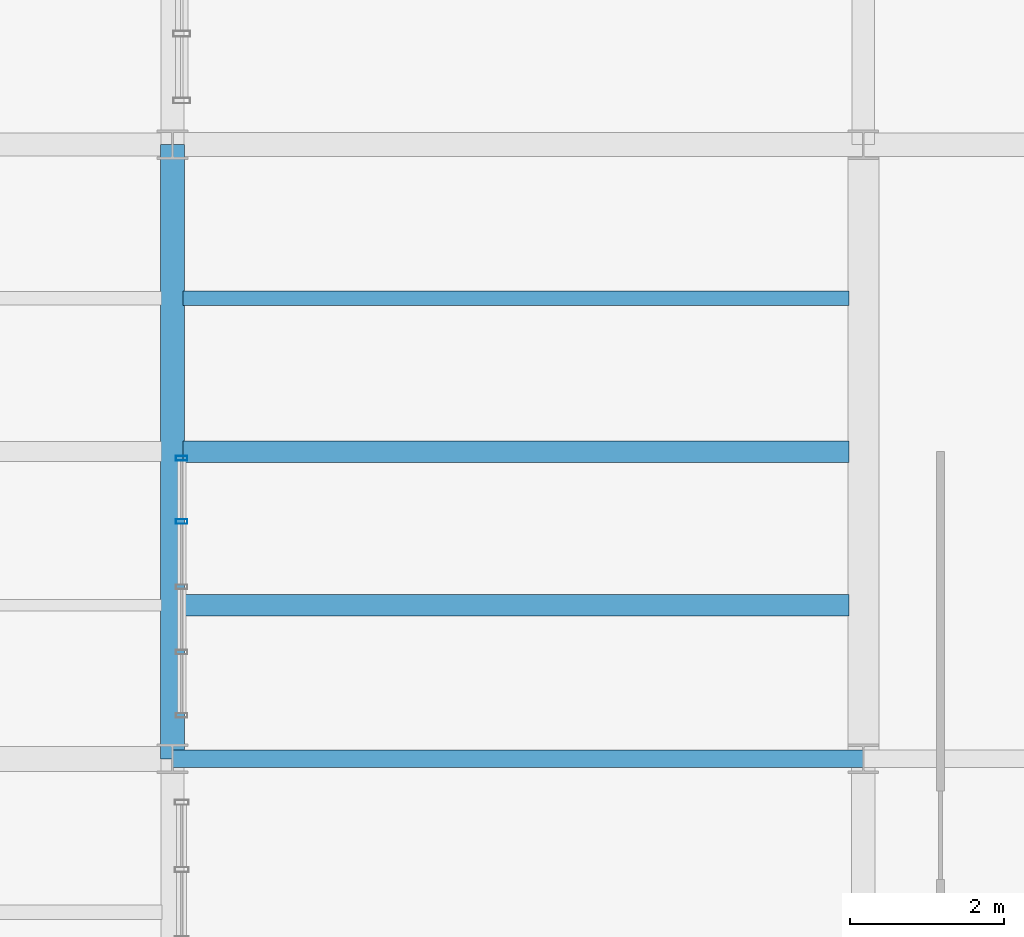
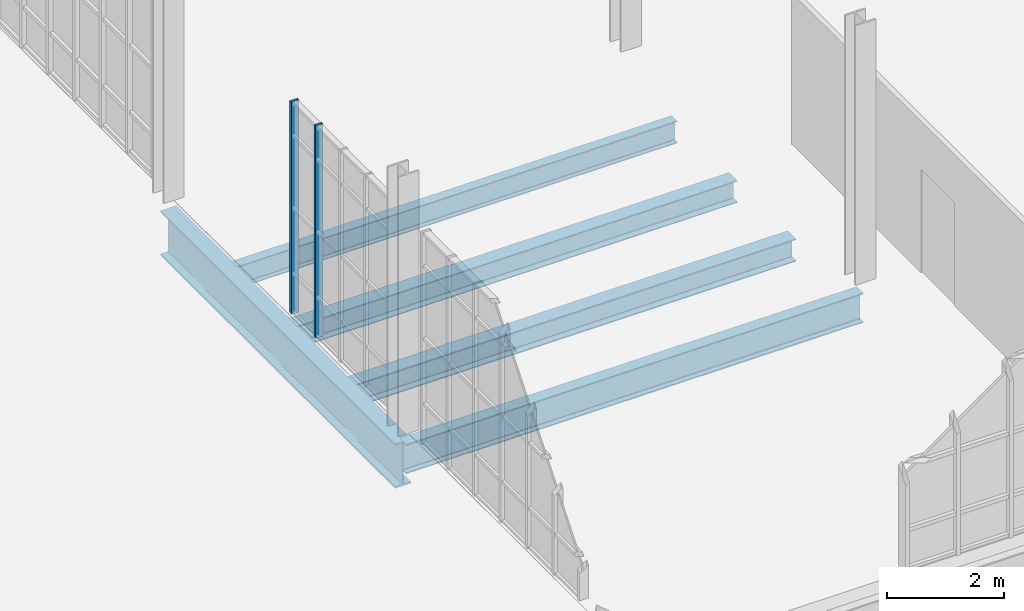
# One storey, part 95 of 189: 5 beams, 2 members, 1 element without a shape of its own.
"""IFC4 building model written with IfcOpenShell, lengths in metres."""

import ifcopenshell
import ifcopenshell.guid

model = None  # the IFC model being written
_history = None  # IfcOwnerHistory: only IFC2X3 demands one
_inside = {}  # id of a spatial element -> (the spatial element, [elements in it])
_under = {}  # id of a project, library or spatial element -> (it, [spatial elements below it])
_declared = {}  # id of a project -> (the project, [libraries it declares])
_typed = {}  # id of a type object -> (the type object, [elements of that type])
_made_of = {}  # id of a material, layer set ... -> (it, [elements and type objects made of it])


def new_model(schema):
    """Start an empty IFC model of exactly this schema.

    Asked for "IFC4X3", IfcOpenShell would pick the latest addendum, in which some entities
    have other attributes; the version numbers below select the first issue.
    IFC2X3 requires an IfcOwnerHistory on every rooted entity: one is made here for all.
    """
    global model, _history
    if schema == "IFC4X3":
        model = ifcopenshell.file(schema_version=(4, 3, 0, 0))
    else:
        model = ifcopenshell.file(schema=schema)
    _inside.clear()
    _under.clear()
    _declared.clear()
    _typed.clear()
    _made_of.clear()
    _history = None
    if model.schema == "IFC2X3":
        org = make("IfcOrganization", Name="unknown")
        user = make(
            "IfcPersonAndOrganization",
            ThePerson=make("IfcPerson", FamilyName="unknown"),
            TheOrganization=org,
        )
        app = make(
            "IfcApplication",
            ApplicationDeveloper=org,
            Version="unknown",
            ApplicationFullName="unknown",
            ApplicationIdentifier="unknown",
        )
        _history = make(
            "IfcOwnerHistory",
            OwningUser=user,
            OwningApplication=app,
            ChangeAction="ADDED",
            CreationDate=0,
        )
    return model


def make(cls, **values):
    """One entity of the class cls with the attributes given. An attribute that is None is left unset."""
    return model.create_entity(
        cls, **{name: value for name, value in values.items() if value is not None}
    )


def rooted(cls, **values):
    """An entity with a GlobalId (a new one), such as an element, a storey or a relation."""
    return make(cls, GlobalId=ifcopenshell.guid.new(), OwnerHistory=_history, **values)


def si_unit(unit_type, name, prefix=None):
    """IfcSIUnit, for example si_unit("LENGTHUNIT", "METRE", prefix="MILLI")."""
    return make("IfcSIUnit", UnitType=unit_type, Prefix=prefix, Name=name)


def assignment(units):
    """IfcUnitAssignment: the units of a project."""
    return None if units is None else make("IfcUnitAssignment", Units=units)


def point(xyz):
    """IfcCartesianPoint."""
    return None if xyz is None else make("IfcCartesianPoint", Coordinates=xyz)


def direction(xyz):
    """IfcDirection."""
    return None if xyz is None else make("IfcDirection", DirectionRatios=xyz)


def frame(location, z_axis=None, x_axis=None):
    """IfcAxis2Placement3D, a coordinate frame: its origin and axes. An axis left out is left unset."""
    return make(
        "IfcAxis2Placement3D",
        Location=point(location),
        Axis=direction(z_axis),
        RefDirection=direction(x_axis),
    )


def frame_2d(location, x_axis=None):
    """IfcAxis2Placement2D, a coordinate frame in the plane: its origin and x axis."""
    return make(
        "IfcAxis2Placement2D", Location=point(location), RefDirection=direction(x_axis)
    )


def origin():
    """The frame at (0, 0, 0) with its axes left unset."""
    return frame((0.0, 0.0, 0.0))


def origin_2d():
    """The frame at (0, 0) in the plane with its x axis left unset."""
    return frame_2d((0.0, 0.0))


def place(relative_to, where):
    """IfcLocalPlacement: puts the frame where relative to a parent placement (None: the world)."""
    return make(
        "IfcLocalPlacement", PlacementRelTo=relative_to, RelativePlacement=where
    )


def context(
    kind, dimensions, precision=None, world=None, true_north=None, identifier=None
):
    """IfcGeometricRepresentationContext, for example the 3D "Model" context."""
    return make(
        "IfcGeometricRepresentationContext",
        ContextIdentifier=identifier,
        ContextType=kind,
        CoordinateSpaceDimension=dimensions,
        Precision=precision,
        WorldCoordinateSystem=world,
        TrueNorth=true_north,
    )


def subcontext(parent, identifier, kind, view, scale=None):
    """IfcGeometricRepresentationSubContext, for example "Body" below "Model"."""
    return make(
        "IfcGeometricRepresentationSubContext",
        ContextIdentifier=identifier,
        ContextType=kind,
        ParentContext=parent,
        TargetScale=scale,
        TargetView=view,
    )


def project(units=None, contexts=None):
    """IfcProject with its units and contexts."""
    return rooted(
        "IfcProject",
        Name="project",
        RepresentationContexts=contexts,
        UnitsInContext=assignment(units),
    )


def spatial(cls, under=None, at=None, **own):
    """A site, building, storey or space (cls), placed at a placement, below another one or the project."""
    s = rooted(cls, ObjectPlacement=at, **own)
    if under is not None:
        _under.setdefault(under.id(), (under, []))[1].append(s)
    return s


def profile(cls, at=None, kind="AREA", **sizes):
    """A parametric profile (cls). Its sizes go by their IFC names, for example OverallWidth=200.0."""
    return make(cls, ProfileType=kind, Position=at, **sizes)


def hollow_rectangle(**sizes):
    """IfcRectangleHollowProfileDef."""
    return profile("IfcRectangleHollowProfileDef", **sizes)


def i_section(**sizes):
    """IfcIShapeProfileDef."""
    return profile("IfcIShapeProfileDef", **sizes)


def extrude(swept, where, along, depth):
    """IfcExtrudedAreaSolid: the profile swept, set in the frame where, extruded along a direction by depth."""
    return make(
        "IfcExtrudedAreaSolid",
        SweptArea=swept,
        Position=where,
        ExtrudedDirection=direction(along),
        Depth=depth,
    )


def shape(context_of_items, identifier, shape_type, items):
    """IfcShapeRepresentation: the items that make up one representation, for example the "Body"."""
    return make(
        "IfcShapeRepresentation",
        ContextOfItems=context_of_items,
        RepresentationIdentifier=identifier,
        RepresentationType=shape_type,
        Items=items,
    )


def material(Name=None, Category=None):
    """IfcMaterial."""
    return make("IfcMaterial", Name=Name, Category=Category)


def layer(
    of_material, thickness, ventilated=None, Name=None, Category=None, Priority=None
):
    """IfcMaterialLayer: one layer of a wall or slab, of a material (None: an air gap)."""
    return make(
        "IfcMaterialLayer",
        Material=of_material,
        LayerThickness=thickness,
        IsVentilated=ventilated,
        Name=Name,
        Category=Category,
        Priority=Priority,
    )


def layer_set(layers, Name=None):
    """IfcMaterialLayerSet."""
    return make("IfcMaterialLayerSet", MaterialLayers=layers, LayerSetName=Name)


def material_profile(
    of_material, cross_section, Name=None, Category=None, Priority=None
):
    """IfcMaterialProfile: a cross section and its material."""
    return make(
        "IfcMaterialProfile",
        Name=Name,
        Material=of_material,
        Profile=cross_section,
        Priority=Priority,
        Category=Category,
    )


def profile_set(profiles, Name=None, composite=None):
    """IfcMaterialProfileSet."""
    return make(
        "IfcMaterialProfileSet",
        Name=Name,
        MaterialProfiles=profiles,
        CompositeProfile=composite,
    )


def made_of(thing, what):
    """Note that an element or type object is made of a material, layer set ...; save() writes the relation."""
    if what is not None:
        _made_of.setdefault(what.id(), (what, []))[1].append(thing)
    return thing


def type_object(cls, material=None, **own):
    """A type object (cls), such as IfcWallType, which elements share."""
    return made_of(rooted(cls, **own), material)


def element(
    cls,
    number,
    at=None,
    inside=None,
    cuts=None,
    type_object=None,
    material=None,
    context=None,
    identifier="Body",
    shape_type=None,
    held_by="IfcProductDefinitionShape",
    body=None,
    shapes=None,
    **own,
):
    """One element of the class cls, such as IfcWall. Its Tag is "e" and its number.

    at: its placement. inside: the storey or other place that contains it. cuts: it is an
    opening in that element (IfcRelVoidsElement). A single representation is given by context,
    identifier, shape_type and body (its items); several are given by shapes. held_by: the class
    of the entity that holds the representations. save() writes the other relations.
    """
    e = rooted(cls, Tag="e%d" % number, ObjectPlacement=at, **own)
    if body is not None:
        shapes = [shape(context, identifier, shape_type, body)]
    if shapes is not None:
        e.Representation = make(held_by, Representations=shapes)
    if inside is not None:
        _inside.setdefault(inside.id(), (inside, []))[1].append(e)
    if cuts is not None:
        rooted(
            "IfcRelVoidsElement", RelatingBuildingElement=cuts, RelatedOpeningElement=e
        )
    if type_object is not None:
        _typed.setdefault(type_object.id(), (type_object, []))[1].append(e)
    return made_of(e, material)


def aggregate(whole, parts):
    """IfcRelAggregates: a whole, such as a stair, and the parts it consists of."""
    return rooted("IfcRelAggregates", RelatingObject=whole, RelatedObjects=parts)


def save(model, path):
    """Write the relations noted so far, then the file.

    IfcRelAggregates (storeys below a building ...), IfcRelContainedInSpatialStructure (elements
    in a storey), IfcRelDefinesByType, IfcRelAssociatesMaterial and IfcRelDeclares: one each for
    every whole, place, type object, material and project.
    """
    for whole, parts in _under.values():
        aggregate(whole, parts)
    for where, things in _inside.values():
        rooted(
            "IfcRelContainedInSpatialStructure",
            RelatedElements=things,
            RelatingStructure=where,
        )
    for kind, things in _typed.values():
        rooted("IfcRelDefinesByType", RelatedObjects=things, RelatingType=kind)
    for what, things in _made_of.values():
        rooted("IfcRelAssociatesMaterial", RelatedObjects=things, RelatingMaterial=what)
    for by, libraries in _declared.values():
        rooted("IfcRelDeclares", RelatingContext=by, RelatedDefinitions=libraries)
    model.write(path)


model = new_model("IFC4")

# Units and contexts
model_context = context("Model", 3, precision=1e-05, world=origin(), true_north=direction((0.0, 1.0)))
body_context = subcontext(model_context, "Body", "Model", "MODEL_VIEW")
ifc_project = project(units=[si_unit("LENGTHUNIT", "METRE"), si_unit("AREAUNIT", "SQUARE_METRE"), si_unit("VOLUMEUNIT", "CUBIC_METRE"), si_unit("PLANEANGLEUNIT", "RADIAN"), si_unit("MASSUNIT", "GRAM", prefix="KILO"), si_unit("THERMODYNAMICTEMPERATUREUNIT", "KELVIN"), si_unit("POWERUNIT", "WATT")], contexts=[model_context])

# Site, building, storey
site_placement = place(None, origin())
site = spatial("IfcSite", under=ifc_project, at=site_placement, CompositionType="ELEMENT")
building_placement = place(site_placement, origin())
building = spatial("IfcBuilding", under=site, at=building_placement, Name="Zelmaris Science Centre", CompositionType="ELEMENT")
storey_placement = place(building_placement, origin())
storey = spatial("IfcBuildingStorey", under=building, at=storey_placement, Name="L00", CompositionType="ELEMENT", Elevation=0.0)

# Curtain wall, members
ifc_material_1 = material(Name="Anodised architectural aluminium 6063-T6", Category="aluminium")
ifc_layer = layer(ifc_material_1, 0.219970703125, Name="Anodised architectural aluminium 6063-T6")
ifc_layer_set = layer_set([ifc_layer], Name="Anodised architectural aluminium 6063-T6")
curtain_wall_type = type_object("IfcCurtainWallType", Name="Curtain Wall CW-04", PredefinedType="USERDEFINED", material=ifc_layer_set)
curtain_wall_placement = place(storey_placement, origin())
curtain_wall = element("IfcCurtainWall", 1, at=curtain_wall_placement, inside=storey, type_object=curtain_wall_type, Name="L00 Unitised curtain wall 80", ObjectType="GLAZED CURTAIN WALL", PredefinedType="USERDEFINED")
ifc_material_profile_1 = material_profile(ifc_material_1, hollow_rectangle(XDim=0.06005859375, YDim=0.14990234375, WallThickness=0.00341796875, at=origin_2d()), Name="ALU-MUL-60X150")
ifc_profile_set_1 = profile_set([ifc_material_profile_1], Name="Anodised architectural aluminium 6063-T6")
member_type = type_object("IfcMemberType", Name="ALU-MUL-60X150", PredefinedType="MULLION", material=ifc_profile_set_1)
member_1_placement = place(storey_placement, frame((90.1201171875, 75.090087890625, -0.014892578125), z_axis=(0.0, 0.0, 1.0), x_axis=(0.0, 1.0, 0.0)))
member_1 = element("IfcMember", 2, at=member_1_placement, type_object=member_type, Name="CW-04 mullion 4", PredefinedType="MULLION", context=body_context, shape_type="SweptSolid", body=[
    extrude(hollow_rectangle(XDim=0.06005859375, YDim=0.14990234375, WallThickness=0.00341796875, at=origin_2d()), origin(), (0.0, 0.0, 1.0), 4.4169921875),
])
member_2_placement = place(storey_placement, frame((90.1201171875, 75.9140625, -0.014892578125), z_axis=(0.0, 0.0, 1.0), x_axis=(0.0, 1.0, 0.0)))
member_2 = element("IfcMember", 3, at=member_2_placement, type_object=member_type, Name="CW-04 mullion 5", PredefinedType="MULLION", context=body_context, shape_type="SweptSolid", body=[
    extrude(hollow_rectangle(XDim=0.06005859375, YDim=0.14990234375, WallThickness=0.00341796875, at=origin_2d()), origin(), (0.0, 0.0, 1.0), 4.4169921875),
])
aggregate(curtain_wall, [member_1, member_2])

# Beams
ifc_material_2 = material(Name="Steel ASTM A992 Grade 50", Category="steel")
ifc_material_profile_2 = material_profile(ifc_material_2, i_section(OverallWidth=0.22900390625, OverallDepth=0.612060546875, WebThickness=0.011962890625, FlangeThickness=0.01953125, FilletRadius=0.014892578125, at=origin_2d()), Name="W24X84")
ifc_profile_set_2 = profile_set([ifc_material_profile_2], Name="Steel ASTM A992 Grade 50")
beam_type_1 = type_object("IfcBeamType", Name="Beam G-16 W24X84", PredefinedType="BEAM", material=ifc_profile_set_2)
beam_1_placement = place(storey_placement, frame((90.0, 72.0, -0.5859375), z_axis=(1.0, 0.0, 0.0), x_axis=(0.0, 1.0, 0.0)))
element("IfcBeam", 4, at=beam_1_placement, inside=storey, type_object=beam_type_1, Name="L00 East-west girder 164", PredefinedType="BEAM", context=body_context, shape_type="SweptSolid", body=[
    extrude(i_section(OverallWidth=0.22900390625, OverallDepth=0.612060546875, WebThickness=0.011962890625, FlangeThickness=0.01953125, FilletRadius=0.014892578125, at=origin_2d()), origin(), (0.0, 0.0, 1.0), 9.0),
])
ifc_material_profile_3 = material_profile(ifc_material_2, i_section(OverallWidth=0.31005859375, OverallDepth=0.931884765625, WebThickness=0.02099609375, FlangeThickness=0.034423828125, FilletRadius=0.02392578125, at=origin_2d()), Name="W36X210")
ifc_profile_set_3 = profile_set([ifc_material_profile_3], Name="Steel ASTM A992 Grade 50")
beam_type_2 = type_object("IfcBeamType", Name="Beam G-25 W36X210", PredefinedType="BEAM", material=ifc_profile_set_3)
beam_2_placement = place(storey_placement, frame((90.0, 72.0, -0.74609375), z_axis=(0.0, 1.0, 0.0), x_axis=(-1.0, 0.0, 0.0)))
element("IfcBeam", 5, at=beam_2_placement, inside=storey, type_object=beam_type_2, Name="L00 North-south girder 45", PredefinedType="BEAM", context=body_context, shape_type="SweptSolid", body=[
    extrude(i_section(OverallWidth=0.31005859375, OverallDepth=0.931884765625, WebThickness=0.02099609375, FlangeThickness=0.034423828125, FilletRadius=0.02392578125, at=origin_2d()), origin(), (0.0, 0.0, 1.0), 8.0),
])
ifc_material_profile_4 = material_profile(ifc_material_2, i_section(OverallWidth=0.281982421875, OverallDepth=0.471923828125, WebThickness=0.013671875, FlangeThickness=0.022216796875, FilletRadius=0.012939453125, at=origin_2d()), Name="W18X97")
ifc_profile_set_4 = profile_set([ifc_material_profile_4], Name="Steel ASTM A992 Grade 50")
beam_type_3 = type_object("IfcBeamType", Name="Beam J-02 W18X97", PredefinedType="JOIST", material=ifc_profile_set_4)
beam_3_placement = place(storey_placement, frame((90.139892578125, 74.0, -0.51611328125), z_axis=(1.0, 0.0, 0.0), x_axis=(0.0, 1.0, 0.0)))
element("IfcBeam", 6, at=beam_3_placement, inside=storey, type_object=beam_type_3, Name="L00 Composite floor joist 64", PredefinedType="JOIST", context=body_context, shape_type="SweptSolid", body=[
    extrude(i_section(OverallWidth=0.281982421875, OverallDepth=0.471923828125, WebThickness=0.013671875, FlangeThickness=0.022216796875, FilletRadius=0.012939453125, at=origin_2d()), origin(), (0.0, 0.0, 1.0), 8.673095703125),
])
ifc_material_profile_5 = material_profile(ifc_material_2, i_section(OverallWidth=0.279052734375, OverallDepth=0.4619140625, WebThickness=0.0107421875, FlangeThickness=0.017333984375, FilletRadius=0.012939453125, at=origin_2d()), Name="W18X76")
ifc_profile_set_5 = profile_set([ifc_material_profile_5], Name="Steel ASTM A992 Grade 50")
beam_type_4 = type_object("IfcBeamType", Name="Beam J-03 W18X76", PredefinedType="JOIST", material=ifc_profile_set_5)
beam_4_placement = place(storey_placement, frame((90.139892578125, 76.0, -0.510986328125), z_axis=(1.0, 0.0, 0.0), x_axis=(0.0, 1.0, 0.0)))
element("IfcBeam", 7, at=beam_4_placement, inside=storey, type_object=beam_type_4, Name="L00 Composite floor joist 65", PredefinedType="JOIST", context=body_context, shape_type="SweptSolid", body=[
    extrude(i_section(OverallWidth=0.279052734375, OverallDepth=0.4619140625, WebThickness=0.0107421875, FlangeThickness=0.017333984375, FilletRadius=0.012939453125, at=origin_2d()), origin(), (0.0, 0.0, 1.0), 8.673095703125),
])
ifc_material_profile_6 = material_profile(ifc_material_2, i_section(OverallWidth=0.19091796875, OverallDepth=0.4599609375, WebThickness=0.010009765625, FlangeThickness=0.01611328125, FilletRadius=0.012939453125, at=origin_2d()), Name="W18X55")
ifc_profile_set_6 = profile_set([ifc_material_profile_6], Name="Steel ASTM A992 Grade 50")
beam_type_5 = type_object("IfcBeamType", Name="Beam J-04 W18X55", PredefinedType="JOIST", material=ifc_profile_set_6)
beam_5_placement = place(storey_placement, frame((90.139892578125, 78.0, -0.510009765625), z_axis=(1.0, 0.0, 0.0), x_axis=(0.0, 1.0, 0.0)))
element("IfcBeam", 8, at=beam_5_placement, inside=storey, type_object=beam_type_5, Name="L00 Composite floor joist 66", PredefinedType="JOIST", context=body_context, shape_type="SweptSolid", body=[
    extrude(i_section(OverallWidth=0.19091796875, OverallDepth=0.4599609375, WebThickness=0.010009765625, FlangeThickness=0.01611328125, FilletRadius=0.012939453125, at=origin_2d()), origin(), (0.0, 0.0, 1.0), 8.673095703125),
])

save(model, "model.ifc")
